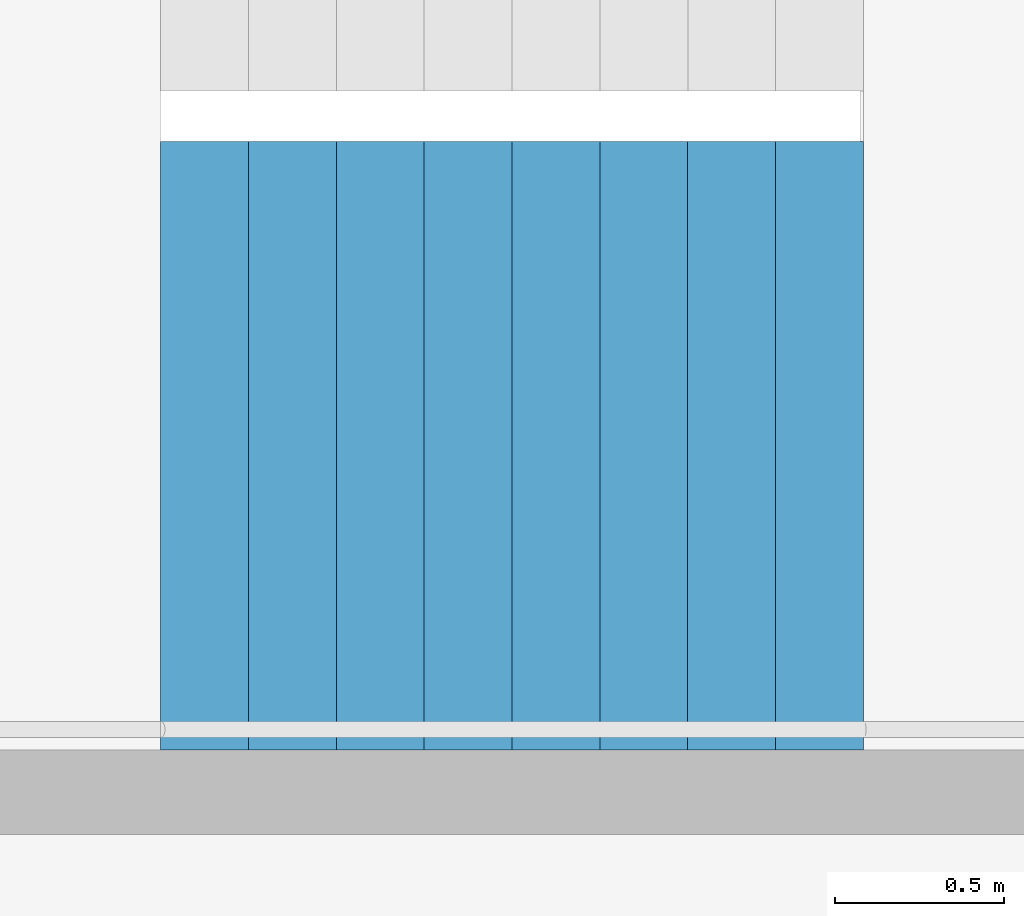
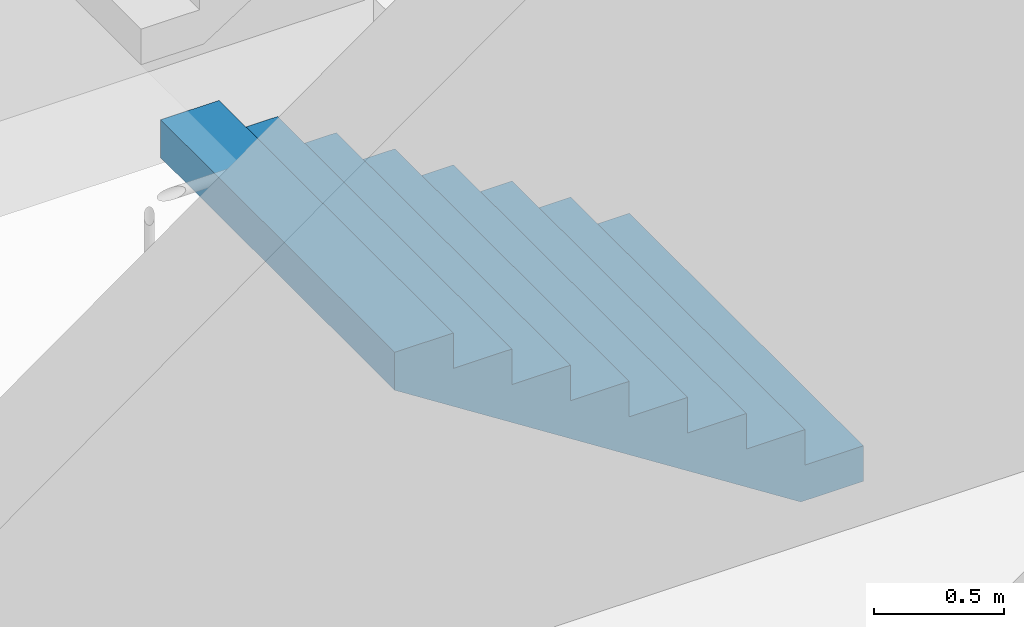
# One storey, part 30 of 35: 1 stair flight, 1 element without a shape of its own.
"""IFC4 building model written with IfcOpenShell, lengths in metres."""

from ifc_helpers import new_model, si_unit, direction, frame, origin, place, context, subcontext, project, spatial, triangles, material, type_object, element, aggregate, save


model = new_model("IFC4")

# Units and contexts
model_context = context("Model", 3, precision=1e-05, world=origin(), true_north=direction((0.0, 1.0)))
body_context = subcontext(model_context, "Body", "Model", "MODEL_VIEW")
ifc_project = project(units=[si_unit("LENGTHUNIT", "METRE"), si_unit("AREAUNIT", "SQUARE_METRE"), si_unit("VOLUMEUNIT", "CUBIC_METRE"), si_unit("PLANEANGLEUNIT", "RADIAN"), si_unit("MASSUNIT", "GRAM", prefix="KILO")], contexts=[model_context])

# Site, building, storey
site_placement = place(None, origin())
site = spatial("IfcSite", under=ifc_project, at=site_placement, CompositionType="ELEMENT")
building_placement = place(site_placement, origin())
building = spatial("IfcBuilding", under=site, at=building_placement, Name="Hakoniwa Tower and Hamabe Station Hall", CompositionType="ELEMENT")
storey_placement = place(building_placement, frame((0.0, 0.0, 264.60009765625)))
storey = spatial("IfcBuildingStorey", under=building, at=storey_placement, Name="L75", CompositionType="ELEMENT", Elevation=264.60009765625)

# Stair, stair flight
ifc_material_1 = material(Name="Concrete C40", Category="concrete")
stair_type = type_object("IfcStairType", Name="ESCAPE STAIR 1800", PredefinedType="HALF_TURN_STAIR", material=ifc_material_1)
stair_placement = place(storey_placement, origin())
stair = element("IfcStair", 1, at=stair_placement, inside=storey, type_object=stair_type, Name="Escape stair ST-3 L75", PredefinedType="HALF_TURN_STAIR")
ifc_material_2 = material(Name="Concrete C40", Category="concrete")
stair_flight_type = type_object("IfcStairFlightType", Name="STAIR FLIGHT 1800", PredefinedType="STRAIGHT", material=ifc_material_2)
stair_flight_placement = place(storey_placement, frame((24.39990234375, 4.64990234375, 0.0), z_axis=(0.0, 0.0, 1.0), x_axis=(-1.0, 0.0, 0.0)))
stair_flight = element("IfcStairFlight", 2, at=stair_flight_placement, type_object=stair_flight_type, Name="ST-3 flight 1", NumberOfRisers=9, NumberOfTreads=8, PredefinedType="STRAIGHT", RiserHeight=0.166666667, TreadLength=0.26, context=body_context, shape_type="Tessellation", body=[
    triangles([(0.0, 0.89990234375, 0.0), (0.260009765625, 0.89990234375, 0.0), (0.27783203125, 0.89990234375, 0.0), (0.52001953125, 0.89990234375, 0.1552734375), (0.780029296875, 0.89990234375, 0.322021484375), (1.0400390625, 0.89990234375, 0.488525390625), (1.300048828125, 0.89990234375, 0.6552734375), (1.56005859375, 0.89990234375, 0.822021484375), (1.820068359375, 0.89990234375, 0.988525390625), (2.080078125, 0.89990234375, 1.1552734375), (2.080078125, 0.89990234375, 1.333251953125), (1.820068359375, 0.89990234375, 1.333251953125), (1.820068359375, 0.89990234375, 1.166748046875), (1.56005859375, 0.89990234375, 1.166748046875), (1.56005859375, 0.89990234375, 1.0), (1.300048828125, 0.89990234375, 1.0), (1.300048828125, 0.89990234375, 0.833251953125), (1.0400390625, 0.89990234375, 0.833251953125), (1.0400390625, 0.89990234375, 0.666748046875), (0.780029296875, 0.89990234375, 0.666748046875), (0.780029296875, 0.89990234375, 0.5), (0.52001953125, 0.89990234375, 0.5), (0.52001953125, 0.89990234375, 0.333251953125), (0.27783203125, 0.89990234375, 0.333251953125), (0.260009765625, 0.89990234375, 0.333251953125), (0.260009765625, 0.89990234375, 0.166748046875), (0.0, 0.89990234375, 0.166748046875), (0.0, 0.06005859375, 0.0), (0.260009765625, 0.06005859375, 0.0), (0.27783203125, 0.06005859375, 0.0), (0.52001953125, 0.06005859375, 0.1552734375), (0.780029296875, 0.06005859375, 0.322021484375), (1.0400390625, 0.06005859375, 0.488525390625), (1.300048828125, 0.06005859375, 0.6552734375), (1.56005859375, 0.06005859375, 0.822021484375), (1.820068359375, 0.06005859375, 0.988525390625), (2.080078125, 0.06005859375, 1.1552734375), (2.080078125, 0.06005859375, 1.333251953125), (1.820068359375, 0.06005859375, 1.333251953125), (1.820068359375, 0.06005859375, 1.166748046875), (1.56005859375, 0.06005859375, 1.166748046875), (1.56005859375, 0.06005859375, 1.0), (1.300048828125, 0.06005859375, 1.0), (1.300048828125, 0.06005859375, 0.833251953125), (1.0400390625, 0.06005859375, 0.833251953125), (1.0400390625, 0.06005859375, 0.666748046875), (0.780029296875, 0.06005859375, 0.666748046875), (0.780029296875, 0.06005859375, 0.5), (0.52001953125, 0.06005859375, 0.5), (0.52001953125, 0.06005859375, 0.333251953125), (0.27783203125, 0.06005859375, 0.333251953125), (0.260009765625, 0.06005859375, 0.333251953125), (0.260009765625, 0.06005859375, 0.166748046875), (0.0, 0.06005859375, 0.166748046875), (0.0, 0.04296875, 0.0), (0.260009765625, 0.04296875, 0.0), (0.27783203125, 0.04296875, 0.0), (0.52001953125, 0.04296875, 0.1552734375), (0.780029296875, 0.04296875, 0.322021484375), (1.0400390625, 0.04296875, 0.488525390625), (1.300048828125, 0.04296875, 0.6552734375), (1.56005859375, 0.04296875, 0.822021484375), (1.820068359375, 0.04296875, 0.988525390625), (2.080078125, 0.04296875, 1.1552734375), (2.080078125, 0.04296875, 1.333251953125), (1.820068359375, 0.04296875, 1.333251953125), (1.820068359375, 0.04296875, 1.166748046875), (1.56005859375, 0.04296875, 1.166748046875), (1.56005859375, 0.04296875, 1.0), (1.300048828125, 0.04296875, 1.0), (1.300048828125, 0.04296875, 0.833251953125), (1.0400390625, 0.04296875, 0.833251953125), (1.0400390625, 0.04296875, 0.666748046875), (0.780029296875, 0.04296875, 0.666748046875), (0.780029296875, 0.04296875, 0.5), (0.52001953125, 0.04296875, 0.5), (0.52001953125, 0.04296875, 0.333251953125), (0.27783203125, 0.04296875, 0.333251953125), (0.260009765625, 0.04296875, 0.333251953125), (0.260009765625, 0.04296875, 0.166748046875), (0.0, 0.04296875, 0.166748046875), (0.0, 0.025634765625, 0.0), (0.260009765625, 0.025634765625, 0.0), (0.27783203125, 0.025634765625, 0.0), (0.52001953125, 0.025634765625, 0.1552734375), (0.780029296875, 0.025634765625, 0.322021484375), (1.0400390625, 0.025634765625, 0.488525390625), (1.300048828125, 0.025634765625, 0.6552734375), (1.56005859375, 0.025634765625, 0.822021484375), (1.820068359375, 0.025634765625, 0.988525390625), (2.080078125, 0.025634765625, 1.1552734375), (2.080078125, 0.025634765625, 1.333251953125), (1.820068359375, 0.025634765625, 1.333251953125), (1.820068359375, 0.025634765625, 1.166748046875), (1.56005859375, 0.025634765625, 1.166748046875), (1.56005859375, 0.025634765625, 1.0), (1.300048828125, 0.025634765625, 1.0), (1.300048828125, 0.025634765625, 0.833251953125), (1.0400390625, 0.025634765625, 0.833251953125), (1.0400390625, 0.025634765625, 0.666748046875), (0.780029296875, 0.025634765625, 0.666748046875), (0.780029296875, 0.025634765625, 0.5), (0.52001953125, 0.025634765625, 0.5), (0.52001953125, 0.025634765625, 0.333251953125), (0.27783203125, 0.025634765625, 0.333251953125), (0.260009765625, 0.025634765625, 0.333251953125), (0.260009765625, 0.025634765625, 0.166748046875), (0.0, 0.025634765625, 0.166748046875), (0.0, 0.008544921875, 0.0), (0.260009765625, 0.008544921875, 0.0), (0.27783203125, 0.008544921875, 0.0), (0.52001953125, 0.008544921875, 0.1552734375), (0.780029296875, 0.008544921875, 0.322021484375), (1.0400390625, 0.008544921875, 0.488525390625), (1.300048828125, 0.008544921875, 0.6552734375), (1.56005859375, 0.008544921875, 0.822021484375), (1.820068359375, 0.008544921875, 0.988525390625), (2.080078125, 0.008544921875, 1.1552734375), (2.080078125, 0.008544921875, 1.333251953125), (1.820068359375, 0.008544921875, 1.333251953125), (1.820068359375, 0.008544921875, 1.166748046875), (1.56005859375, 0.008544921875, 1.166748046875), (1.56005859375, 0.008544921875, 1.0), (1.300048828125, 0.008544921875, 1.0), (1.300048828125, 0.008544921875, 0.833251953125), (1.0400390625, 0.008544921875, 0.833251953125), (1.0400390625, 0.008544921875, 0.666748046875), (0.780029296875, 0.008544921875, 0.666748046875), (0.780029296875, 0.008544921875, 0.5), (0.52001953125, 0.008544921875, 0.5), (0.52001953125, 0.008544921875, 0.333251953125), (0.27783203125, 0.008544921875, 0.333251953125), (0.260009765625, 0.008544921875, 0.333251953125), (0.260009765625, 0.008544921875, 0.166748046875), (0.0, 0.008544921875, 0.166748046875), (0.0, -0.008544921875, 0.0), (0.260009765625, -0.008544921875, 0.0), (0.27783203125, -0.008544921875, 0.0), (0.52001953125, -0.008544921875, 0.1552734375), (0.780029296875, -0.008544921875, 0.322021484375), (1.0400390625, -0.008544921875, 0.488525390625), (1.300048828125, -0.008544921875, 0.6552734375), (1.56005859375, -0.008544921875, 0.822021484375), (1.820068359375, -0.008544921875, 0.988525390625), (2.080078125, -0.008544921875, 1.1552734375), (2.080078125, -0.008544921875, 1.333251953125), (1.820068359375, -0.008544921875, 1.333251953125), (1.820068359375, -0.008544921875, 1.166748046875), (1.56005859375, -0.008544921875, 1.166748046875), (1.56005859375, -0.008544921875, 1.0), (1.300048828125, -0.008544921875, 1.0), (1.300048828125, -0.008544921875, 0.833251953125), (1.0400390625, -0.008544921875, 0.833251953125), (1.0400390625, -0.008544921875, 0.666748046875), (0.780029296875, -0.008544921875, 0.666748046875), (0.780029296875, -0.008544921875, 0.5), (0.52001953125, -0.008544921875, 0.5), (0.52001953125, -0.008544921875, 0.333251953125), (0.27783203125, -0.008544921875, 0.333251953125), (0.260009765625, -0.008544921875, 0.333251953125), (0.260009765625, -0.008544921875, 0.166748046875), (0.0, -0.008544921875, 0.166748046875), (0.0, -0.025634765625, 0.0), (0.260009765625, -0.025634765625, 0.0), (0.27783203125, -0.025634765625, 0.0), (0.52001953125, -0.025634765625, 0.1552734375), (0.780029296875, -0.025634765625, 0.322021484375), (1.0400390625, -0.025634765625, 0.488525390625), (1.300048828125, -0.025634765625, 0.6552734375), (1.56005859375, -0.025634765625, 0.822021484375), (1.820068359375, -0.025634765625, 0.988525390625), (2.080078125, -0.025634765625, 1.1552734375), (2.080078125, -0.025634765625, 1.333251953125), (1.820068359375, -0.025634765625, 1.333251953125), (1.820068359375, -0.025634765625, 1.166748046875), (1.56005859375, -0.025634765625, 1.166748046875), (1.56005859375, -0.025634765625, 1.0), (1.300048828125, -0.025634765625, 1.0), (1.300048828125, -0.025634765625, 0.833251953125), (1.0400390625, -0.025634765625, 0.833251953125), (1.0400390625, -0.025634765625, 0.666748046875), (0.780029296875, -0.025634765625, 0.666748046875), (0.780029296875, -0.025634765625, 0.5), (0.52001953125, -0.025634765625, 0.5), (0.52001953125, -0.025634765625, 0.333251953125), (0.27783203125, -0.025634765625, 0.333251953125), (0.260009765625, -0.025634765625, 0.333251953125), (0.260009765625, -0.025634765625, 0.166748046875), (0.0, -0.025634765625, 0.166748046875), (0.0, -0.04296875, 0.0), (0.260009765625, -0.04296875, 0.0), (0.27783203125, -0.04296875, 0.0), (0.52001953125, -0.04296875, 0.1552734375), (0.780029296875, -0.04296875, 0.322021484375), (1.0400390625, -0.04296875, 0.488525390625), (1.300048828125, -0.04296875, 0.6552734375), (1.56005859375, -0.04296875, 0.822021484375), (1.820068359375, -0.04296875, 0.988525390625), (2.080078125, -0.04296875, 1.1552734375), (2.080078125, -0.04296875, 1.333251953125), (1.820068359375, -0.04296875, 1.333251953125), (1.820068359375, -0.04296875, 1.166748046875), (1.56005859375, -0.04296875, 1.166748046875), (1.56005859375, -0.04296875, 1.0), (1.300048828125, -0.04296875, 1.0), (1.300048828125, -0.04296875, 0.833251953125), (1.0400390625, -0.04296875, 0.833251953125), (1.0400390625, -0.04296875, 0.666748046875), (0.780029296875, -0.04296875, 0.666748046875), (0.780029296875, -0.04296875, 0.5), (0.52001953125, -0.04296875, 0.5), (0.52001953125, -0.04296875, 0.333251953125), (0.27783203125, -0.04296875, 0.333251953125), (0.260009765625, -0.04296875, 0.333251953125), (0.260009765625, -0.04296875, 0.166748046875), (0.0, -0.04296875, 0.166748046875), (0.0, -0.06005859375, 0.0), (0.260009765625, -0.06005859375, 0.0), (0.27783203125, -0.06005859375, 0.0), (0.52001953125, -0.06005859375, 0.1552734375), (0.780029296875, -0.06005859375, 0.322021484375), (1.0400390625, -0.06005859375, 0.488525390625), (1.300048828125, -0.06005859375, 0.6552734375), (1.56005859375, -0.06005859375, 0.822021484375), (1.820068359375, -0.06005859375, 0.988525390625), (2.080078125, -0.06005859375, 1.1552734375), (2.080078125, -0.06005859375, 1.333251953125), (1.820068359375, -0.06005859375, 1.333251953125), (1.820068359375, -0.06005859375, 1.166748046875), (1.56005859375, -0.06005859375, 1.166748046875), (1.56005859375, -0.06005859375, 1.0), (1.300048828125, -0.06005859375, 1.0), (1.300048828125, -0.06005859375, 0.833251953125), (1.0400390625, -0.06005859375, 0.833251953125), (1.0400390625, -0.06005859375, 0.666748046875), (0.780029296875, -0.06005859375, 0.666748046875), (0.780029296875, -0.06005859375, 0.5), (0.52001953125, -0.06005859375, 0.5), (0.52001953125, -0.06005859375, 0.333251953125), (0.27783203125, -0.06005859375, 0.333251953125), (0.260009765625, -0.06005859375, 0.333251953125), (0.260009765625, -0.06005859375, 0.166748046875), (0.0, -0.06005859375, 0.166748046875), (0.0, -0.89990234375, 0.0), (0.260009765625, -0.89990234375, 0.0), (0.27783203125, -0.89990234375, 0.0), (0.52001953125, -0.89990234375, 0.1552734375), (0.780029296875, -0.89990234375, 0.322021484375), (1.0400390625, -0.89990234375, 0.488525390625), (1.300048828125, -0.89990234375, 0.6552734375), (1.56005859375, -0.89990234375, 0.822021484375), (1.820068359375, -0.89990234375, 0.988525390625), (2.080078125, -0.89990234375, 1.1552734375), (2.080078125, -0.89990234375, 1.333251953125), (1.820068359375, -0.89990234375, 1.333251953125), (1.820068359375, -0.89990234375, 1.166748046875), (1.56005859375, -0.89990234375, 1.166748046875), (1.56005859375, -0.89990234375, 1.0), (1.300048828125, -0.89990234375, 1.0), (1.300048828125, -0.89990234375, 0.833251953125), (1.0400390625, -0.89990234375, 0.833251953125), (1.0400390625, -0.89990234375, 0.666748046875), (0.780029296875, -0.89990234375, 0.666748046875), (0.780029296875, -0.89990234375, 0.5), (0.52001953125, -0.89990234375, 0.5), (0.52001953125, -0.89990234375, 0.333251953125), (0.27783203125, -0.89990234375, 0.333251953125), (0.260009765625, -0.89990234375, 0.333251953125), (0.260009765625, -0.89990234375, 0.166748046875), (0.0, -0.89990234375, 0.166748046875)], [[2, 27, 26], [245, 269, 270], [2, 1, 27], [245, 270, 244], [3, 25, 24], [246, 267, 268], [3, 26, 25], [246, 268, 269], [3, 2, 26], [246, 269, 245], [4, 24, 23], [247, 266, 267], [4, 3, 24], [247, 267, 246], [5, 22, 21], [248, 264, 265], [5, 23, 22], [248, 265, 266], [5, 4, 23], [248, 266, 247], [6, 20, 19], [249, 262, 263], [6, 21, 20], [249, 263, 264], [6, 5, 21], [249, 264, 248], [7, 18, 17], [250, 260, 261], [7, 19, 18], [250, 261, 262], [7, 6, 19], [250, 262, 249], [8, 16, 15], [251, 258, 259], [8, 17, 16], [251, 259, 260], [8, 7, 17], [251, 260, 250], [9, 14, 13], [252, 256, 257], [9, 15, 14], [252, 257, 258], [9, 8, 15], [252, 258, 251], [10, 12, 11], [253, 254, 255], [10, 13, 12], [253, 255, 256], [10, 9, 13], [253, 256, 252], [1, 2, 29], [1, 29, 28], [28, 29, 56], [28, 56, 55], [55, 56, 83], [55, 83, 82], [82, 83, 110], [82, 110, 109], [109, 110, 137], [109, 137, 136], [136, 137, 164], [136, 164, 163], [163, 164, 191], [163, 191, 190], [190, 191, 218], [190, 218, 217], [217, 218, 245], [217, 245, 244], [2, 3, 30], [2, 30, 29], [29, 30, 57], [29, 57, 56], [56, 57, 84], [56, 84, 83], [83, 84, 111], [83, 111, 110], [110, 111, 138], [110, 138, 137], [137, 138, 165], [137, 165, 164], [164, 165, 192], [164, 192, 191], [191, 192, 219], [191, 219, 218], [218, 219, 246], [218, 246, 245], [3, 4, 31], [3, 31, 30], [30, 31, 58], [30, 58, 57], [57, 58, 85], [57, 85, 84], [84, 85, 112], [84, 112, 111], [111, 112, 139], [111, 139, 138], [138, 139, 166], [138, 166, 165], [165, 166, 193], [165, 193, 192], [192, 193, 220], [192, 220, 219], [219, 220, 247], [219, 247, 246], [4, 5, 32], [4, 32, 31], [31, 32, 59], [31, 59, 58], [58, 59, 86], [58, 86, 85], [85, 86, 113], [85, 113, 112], [112, 113, 140], [112, 140, 139], [139, 140, 167], [139, 167, 166], [166, 167, 194], [166, 194, 193], [193, 194, 221], [193, 221, 220], [220, 221, 248], [220, 248, 247], [5, 6, 33], [5, 33, 32], [32, 33, 60], [32, 60, 59], [59, 60, 87], [59, 87, 86], [86, 87, 114], [86, 114, 113], [113, 114, 141], [113, 141, 140], [140, 141, 168], [140, 168, 167], [167, 168, 195], [167, 195, 194], [194, 195, 222], [194, 222, 221], [221, 222, 249], [221, 249, 248], [6, 7, 34], [6, 34, 33], [33, 34, 61], [33, 61, 60], [60, 61, 88], [60, 88, 87], [87, 88, 115], [87, 115, 114], [114, 115, 142], [114, 142, 141], [141, 142, 169], [141, 169, 168], [168, 169, 196], [168, 196, 195], [195, 196, 223], [195, 223, 222], [222, 223, 250], [222, 250, 249], [7, 8, 35], [7, 35, 34], [34, 35, 62], [34, 62, 61], [61, 62, 89], [61, 89, 88], [88, 89, 116], [88, 116, 115], [115, 116, 143], [115, 143, 142], [142, 143, 170], [142, 170, 169], [169, 170, 197], [169, 197, 196], [196, 197, 224], [196, 224, 223], [223, 224, 251], [223, 251, 250], [8, 9, 36], [8, 36, 35], [35, 36, 63], [35, 63, 62], [62, 63, 90], [62, 90, 89], [89, 90, 117], [89, 117, 116], [116, 117, 144], [116, 144, 143], [143, 144, 171], [143, 171, 170], [170, 171, 198], [170, 198, 197], [197, 198, 225], [197, 225, 224], [224, 225, 252], [224, 252, 251], [9, 10, 37], [9, 37, 36], [36, 37, 64], [36, 64, 63], [63, 64, 91], [63, 91, 90], [90, 91, 118], [90, 118, 117], [117, 118, 145], [117, 145, 144], [144, 145, 172], [144, 172, 171], [171, 172, 199], [171, 199, 198], [198, 199, 226], [198, 226, 225], [225, 226, 253], [225, 253, 252], [10, 11, 38], [10, 38, 37], [37, 38, 65], [37, 65, 64], [64, 65, 92], [64, 92, 91], [91, 92, 119], [91, 119, 118], [118, 119, 146], [118, 146, 145], [145, 146, 173], [145, 173, 172], [172, 173, 200], [172, 200, 199], [199, 200, 227], [199, 227, 226], [226, 227, 254], [226, 254, 253], [11, 12, 39], [11, 39, 38], [38, 39, 66], [38, 66, 65], [65, 66, 93], [65, 93, 92], [92, 93, 120], [92, 120, 119], [119, 120, 147], [119, 147, 146], [146, 147, 174], [146, 174, 173], [173, 174, 201], [173, 201, 200], [200, 201, 228], [200, 228, 227], [227, 228, 255], [227, 255, 254], [12, 13, 40], [12, 40, 39], [39, 40, 67], [39, 67, 66], [66, 67, 94], [66, 94, 93], [93, 94, 121], [93, 121, 120], [120, 121, 148], [120, 148, 147], [147, 148, 175], [147, 175, 174], [174, 175, 202], [174, 202, 201], [201, 202, 229], [201, 229, 228], [228, 229, 256], [228, 256, 255], [13, 14, 41], [13, 41, 40], [40, 41, 68], [40, 68, 67], [67, 68, 95], [67, 95, 94], [94, 95, 122], [94, 122, 121], [121, 122, 149], [121, 149, 148], [148, 149, 176], [148, 176, 175], [175, 176, 203], [175, 203, 202], [202, 203, 230], [202, 230, 229], [229, 230, 257], [229, 257, 256], [14, 15, 42], [14, 42, 41], [41, 42, 69], [41, 69, 68], [68, 69, 96], [68, 96, 95], [95, 96, 123], [95, 123, 122], [122, 123, 150], [122, 150, 149], [149, 150, 177], [149, 177, 176], [176, 177, 204], [176, 204, 203], [203, 204, 231], [203, 231, 230], [230, 231, 258], [230, 258, 257], [15, 16, 43], [15, 43, 42], [42, 43, 70], [42, 70, 69], [69, 70, 97], [69, 97, 96], [96, 97, 124], [96, 124, 123], [123, 124, 151], [123, 151, 150], [150, 151, 178], [150, 178, 177], [177, 178, 205], [177, 205, 204], [204, 205, 232], [204, 232, 231], [231, 232, 259], [231, 259, 258], [16, 17, 44], [16, 44, 43], [43, 44, 71], [43, 71, 70], [70, 71, 98], [70, 98, 97], [97, 98, 125], [97, 125, 124], [124, 125, 152], [124, 152, 151], [151, 152, 179], [151, 179, 178], [178, 179, 206], [178, 206, 205], [205, 206, 233], [205, 233, 232], [232, 233, 260], [232, 260, 259], [17, 18, 45], [17, 45, 44], [44, 45, 72], [44, 72, 71], [71, 72, 99], [71, 99, 98], [98, 99, 126], [98, 126, 125], [125, 126, 153], [125, 153, 152], [152, 153, 180], [152, 180, 179], [179, 180, 207], [179, 207, 206], [206, 207, 234], [206, 234, 233], [233, 234, 261], [233, 261, 260], [18, 19, 46], [18, 46, 45], [45, 46, 73], [45, 73, 72], [72, 73, 100], [72, 100, 99], [99, 100, 127], [99, 127, 126], [126, 127, 154], [126, 154, 153], [153, 154, 181], [153, 181, 180], [180, 181, 208], [180, 208, 207], [207, 208, 235], [207, 235, 234], [234, 235, 262], [234, 262, 261], [19, 20, 47], [19, 47, 46], [46, 47, 74], [46, 74, 73], [73, 74, 101], [73, 101, 100], [100, 101, 128], [100, 128, 127], [127, 128, 155], [127, 155, 154], [154, 155, 182], [154, 182, 181], [181, 182, 209], [181, 209, 208], [208, 209, 236], [208, 236, 235], [235, 236, 263], [235, 263, 262], [20, 21, 48], [20, 48, 47], [47, 48, 75], [47, 75, 74], [74, 75, 102], [74, 102, 101], [101, 102, 129], [101, 129, 128], [128, 129, 156], [128, 156, 155], [155, 156, 183], [155, 183, 182], [182, 183, 210], [182, 210, 209], [209, 210, 237], [209, 237, 236], [236, 237, 264], [236, 264, 263], [21, 22, 49], [21, 49, 48], [48, 49, 76], [48, 76, 75], [75, 76, 103], [75, 103, 102], [102, 103, 130], [102, 130, 129], [129, 130, 157], [129, 157, 156], [156, 157, 184], [156, 184, 183], [183, 184, 211], [183, 211, 210], [210, 211, 238], [210, 238, 237], [237, 238, 265], [237, 265, 264], [22, 23, 50], [22, 50, 49], [49, 50, 77], [49, 77, 76], [76, 77, 104], [76, 104, 103], [103, 104, 131], [103, 131, 130], [130, 131, 158], [130, 158, 157], [157, 158, 185], [157, 185, 184], [184, 185, 212], [184, 212, 211], [211, 212, 239], [211, 239, 238], [238, 239, 266], [238, 266, 265], [23, 24, 51], [23, 51, 50], [50, 51, 78], [50, 78, 77], [77, 78, 105], [77, 105, 104], [104, 105, 132], [104, 132, 131], [131, 132, 159], [131, 159, 158], [158, 159, 186], [158, 186, 185], [185, 186, 213], [185, 213, 212], [212, 213, 240], [212, 240, 239], [239, 240, 267], [239, 267, 266], [24, 25, 52], [24, 52, 51], [51, 52, 79], [51, 79, 78], [78, 79, 106], [78, 106, 105], [105, 106, 133], [105, 133, 132], [132, 133, 160], [132, 160, 159], [159, 160, 187], [159, 187, 186], [186, 187, 214], [186, 214, 213], [213, 214, 241], [213, 241, 240], [240, 241, 268], [240, 268, 267], [25, 26, 53], [25, 53, 52], [52, 53, 80], [52, 80, 79], [79, 80, 107], [79, 107, 106], [106, 107, 134], [106, 134, 133], [133, 134, 161], [133, 161, 160], [160, 161, 188], [160, 188, 187], [187, 188, 215], [187, 215, 214], [214, 215, 242], [214, 242, 241], [241, 242, 269], [241, 269, 268], [26, 27, 54], [26, 54, 53], [53, 54, 81], [53, 81, 80], [80, 81, 108], [80, 108, 107], [107, 108, 135], [107, 135, 134], [134, 135, 162], [134, 162, 161], [161, 162, 189], [161, 189, 188], [188, 189, 216], [188, 216, 215], [215, 216, 243], [215, 243, 242], [242, 243, 270], [242, 270, 269], [27, 1, 28], [27, 28, 54], [54, 28, 55], [54, 55, 81], [81, 55, 82], [81, 82, 108], [108, 82, 109], [108, 109, 135], [135, 109, 136], [135, 136, 162], [162, 136, 163], [162, 163, 189], [189, 163, 190], [189, 190, 216], [216, 190, 217], [216, 217, 243], [243, 217, 244], [243, 244, 270]], closed=True),
])
aggregate(stair, [stair_flight])

save(model, "model.ifc")
